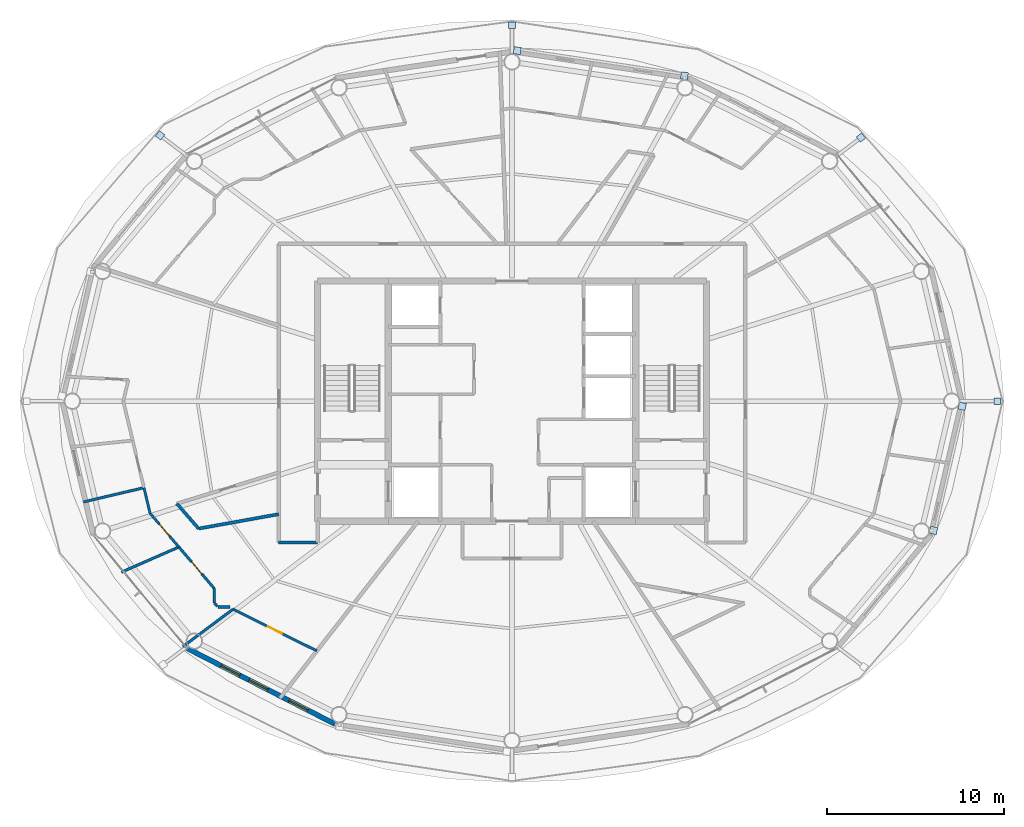
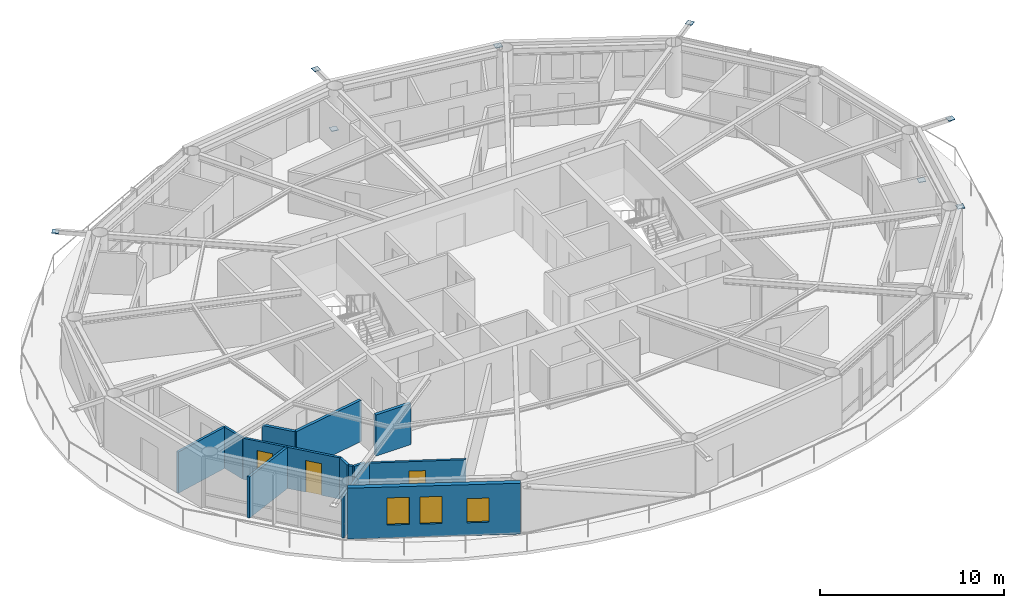
# One storey, part 15 of 22: 14 walls, 8 plates, 3 doors, 3 windows, 6 openings.
"""IFC4 building model written with IfcOpenShell, lengths in metres."""

from ifc_helpers import new_model, si_unit, direction, frame, frame_2d, origin, origin_2d, place, context, subcontext, project, spatial, rectangle, extrude, material, layer, layer_set, type_object, element, fill, save


model = new_model("IFC4")

# Units and contexts
model_context = context("Model", 3, precision=1e-05, world=origin(), true_north=direction((0.0, 1.0)))
body_context = subcontext(model_context, "Body", "Model", "MODEL_VIEW")
ifc_project = project(units=[si_unit("LENGTHUNIT", "METRE"), si_unit("AREAUNIT", "SQUARE_METRE"), si_unit("VOLUMEUNIT", "CUBIC_METRE"), si_unit("PLANEANGLEUNIT", "RADIAN"), si_unit("MASSUNIT", "GRAM", prefix="KILO")], contexts=[model_context])

# Site, building, storey
site_placement = place(None, origin())
site = spatial("IfcSite", under=ifc_project, at=site_placement, CompositionType="ELEMENT")
building_placement = place(site_placement, origin())
building = spatial("IfcBuilding", under=site, at=building_placement, Name="Sarneth Arch Tower", CompositionType="ELEMENT")
storey_placement = place(building_placement, frame((0.0, 0.0, 291.0)))
storey = spatial("IfcBuildingStorey", under=building, at=storey_placement, Name="L75", CompositionType="ELEMENT", Elevation=291.0)

# Plates
ifc_material_1 = material(Name="Steel S355", Category="steel")
ifc_layer_1 = layer(ifc_material_1, 0.035888671875)
ifc_layer_set_1 = layer_set([ifc_layer_1], Name="Steel S355")
plate_type = type_object("IfcPlateType", Name="PLT-GUSSET-30", PredefinedType="SHEET", material=ifc_layer_set_1)
for number, where, z_axis, x_axis, name in (
    (1, (75.463134765625, 42.0, 3.19189453125), (0.0, 0.0, 1.0), (1.0, 0.0, 0.0), "Steel end cap plate GP-1"),
    (2, (67.748291015625, 56.91552734375, 3.19189453125), (0.0, 0.0, 1.0), (0.798004853043, 0.602651022168, 0.0), "Steel end cap plate GP-1"),
):
    element("IfcPlate", number, at=place(storey_placement, frame(where, z_axis=z_axis, x_axis=x_axis)), inside=storey, type_object=plate_type, Name=name, PredefinedType="SHEET", context=body_context, shape_type="SweptSolid", body=[
        extrude(rectangle(XDim=0.3798828125, YDim=0.3798828125, at=origin_2d()), origin(), (0.0, 0.0, 1.0), 0.035888671875),
    ])
for number, where, z_axis, x_axis, name in (
    (3, (48.296630859375, 61.83544921875, 0.001953125), (0.0, 0.0, 1.0), (-0.988860535448, 0.148845024885, 0.0), "Steel end cap plate GP-1"),
    (4, (57.754150390625, 60.411376953125, 3.07421875), (0.0, 0.0, 1.0), (-0.988860535448, 0.148845024885, 0.0), "Steel end cap plate GP-1"),
):
    element("IfcPlate", number, at=place(storey_placement, frame(where, z_axis=z_axis, x_axis=x_axis)), inside=storey, type_object=plate_type, Name=name, PredefinedType="SHEET", context=body_context, shape_type="SweptSolid", body=[
        extrude(rectangle(XDim=0.404052734375, YDim=0.404052734375, at=origin_2d()), origin(), (0.0, 0.0, 1.0), 0.035888671875),
    ])
for number, where, z_axis, x_axis, name in (
    (5, (48.0, 63.27001953125, 3.19189453125), (0.0, 0.0, 1.0), (0.0, 1.0, 0.0), "Steel end cap plate GP-1"),
    (6, (28.08740234375, 57.039794921875, 3.19189453125), (0.0, 0.0, 1.0), (-0.798004853043, 0.602651022168, 0.0), "Steel end cap plate GP-1"),
):
    element("IfcPlate", number, at=place(storey_placement, frame(where, z_axis=z_axis, x_axis=x_axis)), inside=storey, type_object=plate_type, Name=name, PredefinedType="SHEET", context=body_context, shape_type="SweptSolid", body=[
        extrude(rectangle(XDim=0.3798828125, YDim=0.3798828125, at=origin_2d()), origin(), (0.0, 0.0, 1.0), 0.035888671875),
    ])
for number, where, z_axis, x_axis, name in (
    (7, (73.4765625, 41.707763671875, 0.001953125), (0.0, 0.0, 1.0), (0.225461202458, 0.974252147129, 0.0), "Steel end cap plate GP-1"),
    (8, (71.851806640625, 34.6845703125, 3.07421875), (0.0, 0.0, 1.0), (0.225461202458, 0.974252147129, 0.0), "Steel end cap plate GP-1"),
):
    element("IfcPlate", number, at=place(storey_placement, frame(where, z_axis=z_axis, x_axis=x_axis)), inside=storey, type_object=plate_type, Name=name, PredefinedType="SHEET", context=body_context, shape_type="SweptSolid", body=[
        extrude(rectangle(XDim=0.404052734375, YDim=0.404052734375, at=origin_2d()), origin(), (0.0, 0.0, 1.0), 0.035888671875),
    ])

# Wall
ifc_material_2 = material(Name="Double steel-stud corridor fire wall", Category="steel")
ifc_layer_2 = layer(ifc_material_2, 0.18994140625)
ifc_layer_set_2 = layer_set([ifc_layer_2], Name="Double steel-stud corridor fire wall")
wall_type_1 = type_object("IfcWallType", Name="WALL-CORR-190", PredefinedType="PARTITIONING", material=ifc_layer_set_2)
wall_1_placement = place(storey_placement, frame((37.0, 34.0, 0.0), z_axis=(0.0, 0.0, 1.0), x_axis=(-1.0, 0.0, 0.0)))
element("IfcWall", 9, at=wall_1_placement, inside=storey, type_object=wall_type_1, Name="L75 Interior partition W-L75-TP-009", PredefinedType="PARTITIONING", context=body_context, shape_type="SweptSolid", body=[
    extrude(rectangle(XDim=2.199951171875, YDim=0.18994140625, at=frame_2d((1.10009765625, 0.0))), origin(), (0.0, 0.0, 1.0), 2.72998046875),
])

# Wall, openings, windows
ifc_material_3 = material(Name="Extruded terracotta rainscreen on Concrete C40/50 backing", Category="masonry")
ifc_layer_3 = layer(ifc_material_3, 0.280029296875)
ifc_layer_set_3 = layer_set([ifc_layer_3], Name="Extruded terracotta rainscreen on Concrete C40/50 backing")
wall_type_2 = type_object("IfcWallType", Name="WALL-EXT-TERRA-280", PredefinedType="SOLIDWALL", material=ifc_layer_set_3)
wall_2_placement = place(storey_placement, frame((29.617431640625, 28.013427734375, 0.0), z_axis=(0.0, 0.0, 1.0), x_axis=(0.890007394051, -0.455946091699, 0.0)))
wall_2 = element("IfcWall", 10, at=wall_2_placement, inside=storey, type_object=wall_type_2, Name="L75 Terracotta perimeter wall 11", PredefinedType="SOLIDWALL", context=body_context, shape_type="SweptSolid", body=[
    extrude(rectangle(XDim=9.404296875, YDim=0.280029296875, at=frame_2d((4.7021484375, 0.0))), origin(), (0.0, 0.0, 1.0), 3.3701171875),
])
opening_1_placement = place(wall_2_placement, frame((2.153564453125, 0.0, 0.85009765625)))
opening_1 = element("IfcOpeningElement", 11, at=opening_1_placement, cuts=wall_2, Name="Opening W-09", PredefinedType="OPENING", context=body_context, shape_type="SweptSolid", body=[
    extrude(rectangle(XDim=1.199951171875, YDim=1.800048828125, at=frame_2d((0.60009765625, 0.89990234375))), frame((0.0, 0.14990234375, 0.0), z_axis=(0.0, -1.0, 0.0), x_axis=(1.0, 0.0, 0.0)), (0.0, 0.0, 1.0), 0.300048828125),
])
opening_2_placement = place(wall_2_placement, frame((3.931396484375, 0.0, 0.85009765625)))
opening_2 = element("IfcOpeningElement", 12, at=opening_2_placement, cuts=wall_2, Name="Opening W-09", PredefinedType="OPENING", context=body_context, shape_type="SweptSolid", body=[
    extrude(rectangle(XDim=1.199951171875, YDim=1.800048828125, at=frame_2d((0.60009765625, 0.89990234375))), frame((0.0, 0.14990234375, 0.0), z_axis=(0.0, -1.0, 0.0), x_axis=(1.0, 0.0, 0.0)), (0.0, 0.0, 1.0), 0.300048828125),
])
opening_3_placement = place(wall_2_placement, frame((6.4833984375, 0.0, 0.85009765625)))
opening_3 = element("IfcOpeningElement", 13, at=opening_3_placement, cuts=wall_2, Name="Opening W-10", PredefinedType="OPENING", context=body_context, shape_type="SweptSolid", body=[
    extrude(rectangle(XDim=1.199951171875, YDim=1.60009765625, at=frame_2d((0.60009765625, 0.800048828125))), frame((0.0, 0.14990234375, 0.0), z_axis=(0.0, -1.0, 0.0), x_axis=(1.0, 0.0, 0.0)), (0.0, 0.0, 1.0), 0.300048828125),
])
ifc_material_4 = material(Name="Thermally broken Aluminium 6063-T6 and low-e laminated IGU", Category="aluminium")
window_type_1 = type_object("IfcWindowType", Name="WIN-TWR-1200x1600", PartitioningType="SINGLE_PANEL", PredefinedType="WINDOW", material=ifc_material_4)
window_1_placement = place(opening_3_placement, origin())
window_1 = element("IfcWindow", 14, at=window_1_placement, inside=storey, type_object=window_type_1, Name="L75 Exterior window 11C", OverallHeight=1.60009765625, OverallWidth=1.199951171875, PartitioningType="SINGLE_PANEL", PredefinedType="WINDOW", context=body_context, shape_type="SweptSolid", body=[
    extrude(rectangle(XDim=1.199951171875, YDim=1.60009765625, at=frame_2d((0.60009765625, 0.800048828125))), frame((0.0, 0.030029296875, 0.0), z_axis=(0.0, -1.0, 0.0), x_axis=(1.0, 0.0, 0.0)), (0.0, 0.0, 1.0), 0.06005859375),
])
fill(opening_3, window_1)
ifc_material_5 = material(Name="Thermally broken Aluminium 6063-T6 and low-e laminated IGU", Category="aluminium")
window_type_2 = type_object("IfcWindowType", Name="WIN-TWR-1200x1800", PartitioningType="SINGLE_PANEL", PredefinedType="WINDOW", material=ifc_material_5)
window_2_placement = place(opening_1_placement, origin())
window_2 = element("IfcWindow", 15, at=window_2_placement, inside=storey, type_object=window_type_2, Name="L75 Exterior window 11A", OverallHeight=1.800048828125, OverallWidth=1.199951171875, PartitioningType="SINGLE_PANEL", PredefinedType="WINDOW", context=body_context, shape_type="SweptSolid", body=[
    extrude(rectangle(XDim=1.199951171875, YDim=1.800048828125, at=frame_2d((0.60009765625, 0.89990234375))), frame((0.0, 0.030029296875, 0.0), z_axis=(0.0, -1.0, 0.0), x_axis=(1.0, 0.0, 0.0)), (0.0, 0.0, 1.0), 0.06005859375),
])
fill(opening_1, window_2)
window_3_placement = place(opening_2_placement, origin())
window_3 = element("IfcWindow", 16, at=window_3_placement, inside=storey, type_object=window_type_2, Name="L75 Exterior window 11B", OverallHeight=1.800048828125, OverallWidth=1.199951171875, PartitioningType="SINGLE_PANEL", PredefinedType="WINDOW", context=body_context, shape_type="SweptSolid", body=[
    extrude(rectangle(XDim=1.199951171875, YDim=1.800048828125, at=frame_2d((0.60009765625, 0.89990234375))), frame((0.0, 0.030029296875, 0.0), z_axis=(0.0, -1.0, 0.0), x_axis=(1.0, 0.0, 0.0)), (0.0, 0.0, 1.0), 0.06005859375),
])
fill(opening_2, window_3)

# Wall, opening, door
ifc_material_6 = material(Name="Apartment internal stud partition", Category="gypsum")
ifc_layer_4 = layer(ifc_material_6, 0.139892578125)
ifc_layer_set_4 = layer_set([ifc_layer_4], Name="Apartment internal stud partition")
wall_type_3 = type_object("IfcWallType", Name="WALL-PART-140", PredefinedType="PARTITIONING", material=ifc_layer_set_4)
wall_3_placement = place(storey_placement, frame((32.212158203125, 30.2255859375, 0.0), z_axis=(0.0, 0.0, 1.0), x_axis=(0.895575883974, -0.444908795197, 0.0)))
wall_3 = element("IfcWall", 17, at=wall_3_placement, inside=storey, type_object=wall_type_3, Name="L75 Interior partition W-L75-TP-068", PredefinedType="PARTITIONING", context=body_context, shape_type="SweptSolid", body=[
    extrude(rectangle(XDim=5.2998046875, YDim=0.139892578125, at=frame_2d((2.64990234375, 0.0))), origin(), (0.0, 0.0, 1.0), 2.72998046875),
])
opening_4_placement = place(wall_3_placement, frame((2.199951171875, 0.0, 0.0)))
opening_4 = element("IfcOpeningElement", 18, at=opening_4_placement, cuts=wall_3, Name="Opening ID-01", PredefinedType="OPENING", context=body_context, shape_type="SweptSolid", body=[
    extrude(rectangle(XDim=0.89990234375, YDim=2.10009765625, at=frame_2d((0.449951171875, 1.050048828125))), frame((0.0, 0.079833984375, 0.0), z_axis=(0.0, -1.0, 0.0), x_axis=(1.0, 0.0, 0.0)), (0.0, 0.0, 1.0), 0.159912109375),
])
ifc_material_7 = material(Name="Engineered hardwood flush door", Category="wood")
door_type = type_object("IfcDoorType", Name="DR-INT-900", OperationType="SINGLE_SWING_LEFT", PredefinedType="DOOR", material=ifc_material_7)
door_1_placement = place(opening_4_placement, origin())
door_1 = element("IfcDoor", 19, at=door_1_placement, inside=storey, type_object=door_type, Name="L75 Interior door DR-L75-U3-BED3", OperationType="SINGLE_SWING_RIGHT", OverallHeight=2.10009765625, OverallWidth=0.89990234375, PredefinedType="DOOR", context=body_context, shape_type="SweptSolid", body=[
    extrude(rectangle(XDim=0.89990234375, YDim=2.10009765625, at=frame_2d((0.449951171875, 1.050048828125))), frame((0.0, 0.02490234375, 0.0), z_axis=(0.0, -1.0, 0.0), x_axis=(1.0, 0.0, 0.0)), (0.0, 0.0, 1.0), 0.050048828125),
])
fill(opening_4, door_1)

wall_4_placement = place(storey_placement, frame((27.51904296875, 35.655029296875, 0.0), z_axis=(0.0, 0.0, 1.0), x_axis=(0.649219833228, -0.760600820499, 0.0)))
wall_4 = element("IfcWall", 20, at=wall_4_placement, inside=storey, type_object=wall_type_3, Name="L75 Interior partition W-L75-TP-063", PredefinedType="PARTITIONING", context=body_context, shape_type="SweptSolid", body=[
    extrude(rectangle(XDim=2.509765625, YDim=0.139892578125, at=frame_2d((1.2548828125, 0.0))), origin(), (0.0, 0.0, 1.0), 2.72998046875),
])
opening_5_placement = place(wall_4_placement, frame((0.804931640625, 0.0, 0.0)))
opening_5 = element("IfcOpeningElement", 21, at=opening_5_placement, cuts=wall_4, Name="Opening ID-01", PredefinedType="OPENING", context=body_context, shape_type="SweptSolid", body=[
    extrude(rectangle(XDim=0.89990234375, YDim=2.10009765625, at=frame_2d((0.449951171875, 1.050048828125))), frame((0.0, 0.079833984375, 0.0), z_axis=(0.0, -1.0, 0.0), x_axis=(1.0, 0.0, 0.0)), (0.0, 0.0, 1.0), 0.159912109375),
])
door_2_placement = place(opening_5_placement, origin())
door_2 = element("IfcDoor", 22, at=door_2_placement, inside=storey, type_object=door_type, Name="L75 Interior door DR-L75-U3-BED1", OperationType="SINGLE_SWING_RIGHT", OverallHeight=2.10009765625, OverallWidth=0.89990234375, PredefinedType="DOOR", context=body_context, shape_type="SweptSolid", body=[
    extrude(rectangle(XDim=0.89990234375, YDim=2.10009765625, at=frame_2d((0.449951171875, 1.050048828125))), frame((0.0, 0.02490234375, 0.0), z_axis=(0.0, -1.0, 0.0), x_axis=(1.0, 0.0, 0.0)), (0.0, 0.0, 1.0), 0.050048828125),
])
fill(opening_5, door_2)

# Walls
wall_5_placement = place(storey_placement, frame((27.173583984375, 37.10205078125, 0.0), z_axis=(0.0, 0.0, 1.0), x_axis=(0.232212116671, -0.972665169969, 0.0)))
element("IfcWall", 23, at=wall_5_placement, inside=storey, type_object=wall_type_3, Name="L75 Interior partition W-L75-TP-062", PredefinedType="PARTITIONING", context=body_context, shape_type="SweptSolid", body=[
    extrude(rectangle(XDim=1.48779296875, YDim=0.139892578125, at=frame_2d((0.743896484375, 0.0))), origin(), (0.0, 0.0, 1.0), 2.72998046875),
])
ifc_material_8 = material(Name="Acoustic gypsum stud partition", Category="gypsum")
ifc_layer_5 = layer(ifc_material_8, 0.14990234375)
ifc_layer_set_5 = layer_set([ifc_layer_5], Name="Acoustic gypsum stud partition")
wall_type_4 = type_object("IfcWallType", Name="WALL-PART-150", PredefinedType="PARTITIONING", material=ifc_layer_set_5)
wall_6_placement = place(storey_placement, frame((29.1484375, 33.74609375, 0.0), z_axis=(0.0, 0.0, 1.0), x_axis=(-0.916054593567, -0.401053589442, 0.0)))
element("IfcWall", 24, at=wall_6_placement, inside=storey, type_object=wall_type_4, Name="L75 Interior partition W-L75-TP-072", PredefinedType="PARTITIONING", context=body_context, shape_type="SweptSolid", body=[
    extrude(rectangle(XDim=3.5458984375, YDim=0.14990234375, at=frame_2d((1.77294921875, 0.0))), origin(), (0.0, 0.0, 1.0), 2.72998046875),
])
wall_7_placement = place(storey_placement, frame((32.212158203125, 30.2255859375, 0.0), z_axis=(0.0, 0.0, 1.0), x_axis=(-0.801630280955, -0.597820117306, 0.0)))
element("IfcWall", 25, at=wall_7_placement, inside=storey, type_object=wall_type_4, Name="L75 Interior partition W-L75-TP-073", PredefinedType="PARTITIONING", context=body_context, shape_type="SweptSolid", body=[
    extrude(rectangle(XDim=3.53369140625, YDim=0.14990234375, at=frame_2d((1.766845703125, 0.0))), origin(), (0.0, 0.0, 1.0), 2.72998046875),
])
wall_8_placement = place(storey_placement, frame((27.173583984375, 37.10205078125, 0.0), z_axis=(0.0, 0.0, 1.0), x_axis=(-0.973445389286, -0.228919361518, 0.0)))
element("IfcWall", 26, at=wall_8_placement, inside=storey, type_object=wall_type_4, Name="L75 Interior partition W-L75-TP-071", PredefinedType="PARTITIONING", context=body_context, shape_type="SweptSolid", body=[
    extrude(rectangle(XDim=3.51611328125, YDim=0.14990234375, at=frame_2d((1.758056640625, 0.0))), origin(), (0.0, 0.0, 1.0), 2.72998046875),
])

# Wall, opening, door
wall_9_placement = place(storey_placement, frame((29.1484375, 33.74609375, 0.0), z_axis=(0.0, 0.0, 1.0), x_axis=(0.649198693287, -0.760618864238, 0.0)))
wall_9 = element("IfcWall", 27, at=wall_9_placement, inside=storey, type_object=wall_type_4, Name="L75 Interior partition W-L75-TP-064", PredefinedType="PARTITIONING", context=body_context, shape_type="SweptSolid", body=[
    extrude(rectangle(XDim=3.0830078125, YDim=0.14990234375, at=frame_2d((1.54150390625, 0.0))), origin(), (0.0, 0.0, 1.0), 2.72998046875),
])
opening_6_placement = place(wall_9_placement, frame((1.091552734375, 0.0, 0.0)))
opening_6 = element("IfcOpeningElement", 28, at=opening_6_placement, cuts=wall_9, Name="Opening ID-01", PredefinedType="OPENING", context=body_context, shape_type="SweptSolid", body=[
    extrude(rectangle(XDim=0.89990234375, YDim=2.10009765625, at=frame_2d((0.449951171875, 1.050048828125))), frame((0.0, 0.0849609375, 0.0), z_axis=(0.0, -1.0, 0.0), x_axis=(1.0, 0.0, 0.0)), (0.0, 0.0, 1.0), 0.169921875),
])
door_3_placement = place(opening_6_placement, origin())
door_3 = element("IfcDoor", 29, at=door_3_placement, inside=storey, type_object=door_type, Name="L75 Interior door DR-L75-U3-BED2", OperationType="SINGLE_SWING_RIGHT", OverallHeight=2.10009765625, OverallWidth=0.89990234375, PredefinedType="DOOR", context=body_context, shape_type="SweptSolid", body=[
    extrude(rectangle(XDim=0.89990234375, YDim=2.10009765625, at=frame_2d((0.449951171875, 1.050048828125))), frame((0.0, 0.02490234375, 0.0), z_axis=(0.0, -1.0, 0.0), x_axis=(1.0, 0.0, 0.0)), (0.0, 0.0, 1.0), 0.050048828125),
])
fill(opening_6, door_3)

# Walls
wall_10_placement = place(storey_placement, frame((31.14990234375, 31.401123046875, 0.0), z_axis=(0.0, 0.0, 1.0), x_axis=(0.0, -1.0, 0.0)))
element("IfcWall", 30, at=wall_10_placement, inside=storey, type_object=wall_type_4, Name="L75 Interior partition W-L75-TP-065", PredefinedType="PARTITIONING", context=body_context, shape_type="SweptSolid", body=[
    extrude(rectangle(XDim=0.8115234375, YDim=0.14990234375, at=frame_2d((0.40576171875, 0.0))), origin(), (0.0, 0.0, 1.0), 2.72998046875),
])
wall_11_placement = place(storey_placement, frame((31.3544921875, 30.35009765625, 0.0), z_axis=(0.0, 0.0, 1.0), x_axis=(1.0, 0.0, 0.0)))
element("IfcWall", 31, at=wall_11_placement, inside=storey, type_object=wall_type_4, Name="L75 Interior partition W-L75-TP-067", PredefinedType="PARTITIONING", context=body_context, shape_type="SweptSolid", body=[
    extrude(rectangle(XDim=0.692626953125, YDim=0.14990234375, at=frame_2d((0.34619140625, 0.0))), origin(), (0.0, 0.0, 1.0), 2.72998046875),
])
wall_12_placement = place(storey_placement, frame((31.17333984375, 30.562255859375, 0.0), z_axis=(0.0, 0.0, 1.0), x_axis=(0.648874632887, -0.760895334981, 0.0)))
element("IfcWall", 32, at=wall_12_placement, inside=storey, type_object=wall_type_4, Name="L75 Interior partition W-L75-TP-066", PredefinedType="PARTITIONING", context=body_context, shape_type="SweptSolid", body=[
    extrude(rectangle(XDim=0.23095703125, YDim=0.14990234375, at=frame_2d((0.115478515625, 0.0))), origin(), (0.0, 0.0, 1.0), 2.72998046875),
])
ifc_material_9 = material(Name="Moisture-resistant plumbing chase wall", Category="gypsum")
ifc_layer_6 = layer(ifc_material_9, 0.179931640625)
ifc_layer_set_6 = layer_set([ifc_layer_6], Name="Moisture-resistant plumbing chase wall")
wall_type_5 = type_object("IfcWallType", Name="WALL-PLUMB-180", PredefinedType="PLUMBINGWALL", material=ifc_layer_set_6)
wall_13_placement = place(storey_placement, frame((30.265380859375, 34.788818359375, 0.0), z_axis=(0.0, 0.0, 1.0), x_axis=(0.984250881723, 0.176777266148, 0.0)))
element("IfcWall", 33, at=wall_13_placement, inside=storey, type_object=wall_type_5, Name="L75 Interior partition W-L75-TP-061", PredefinedType="PLUMBINGWALL", context=body_context, shape_type="SweptSolid", body=[
    extrude(rectangle(XDim=4.607177734375, YDim=0.179931640625, at=frame_2d((2.3037109375, 0.0))), origin(), (0.0, 0.0, 1.0), 2.72998046875),
])
wall_14_placement = place(storey_placement, frame((29.035888671875, 36.2021484375, 0.0), z_axis=(0.0, 0.0, 1.0), x_axis=(0.656333580006, -0.754470828963, 0.0)))
element("IfcWall", 34, at=wall_14_placement, inside=storey, type_object=wall_type_5, Name="L75 Interior partition W-L75-TP-060", PredefinedType="PLUMBINGWALL", context=body_context, shape_type="SweptSolid", body=[
    extrude(rectangle(XDim=1.873291015625, YDim=0.179931640625, at=frame_2d((0.9365234375, 0.0))), origin(), (0.0, 0.0, 1.0), 2.72998046875),
])

save(model, "model.ifc")
